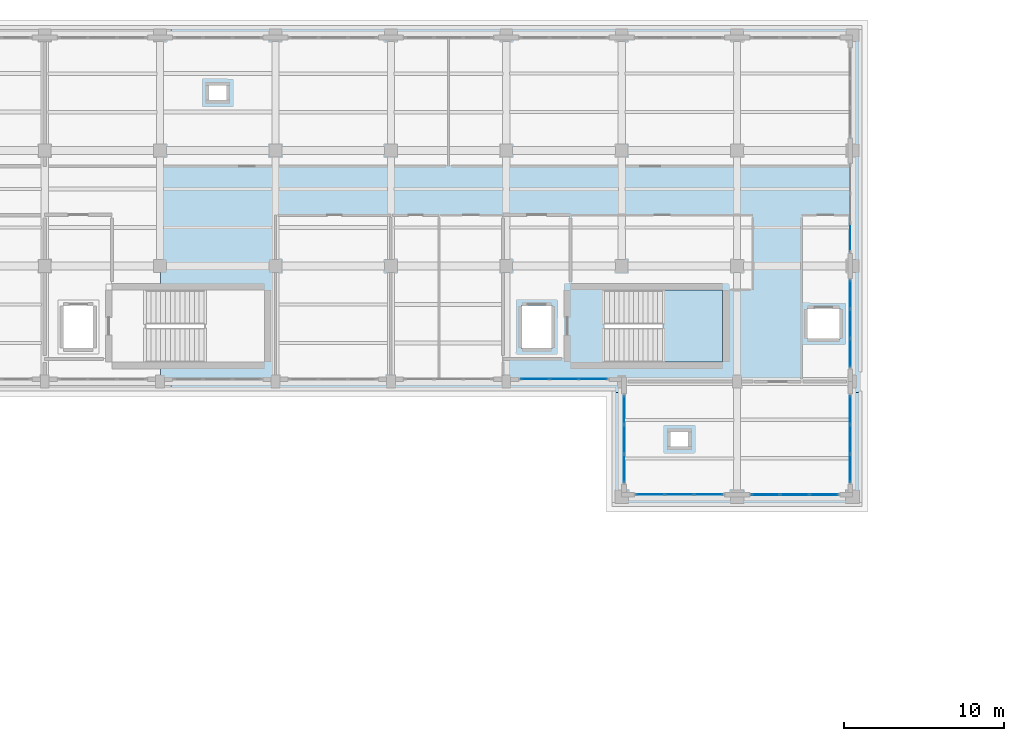
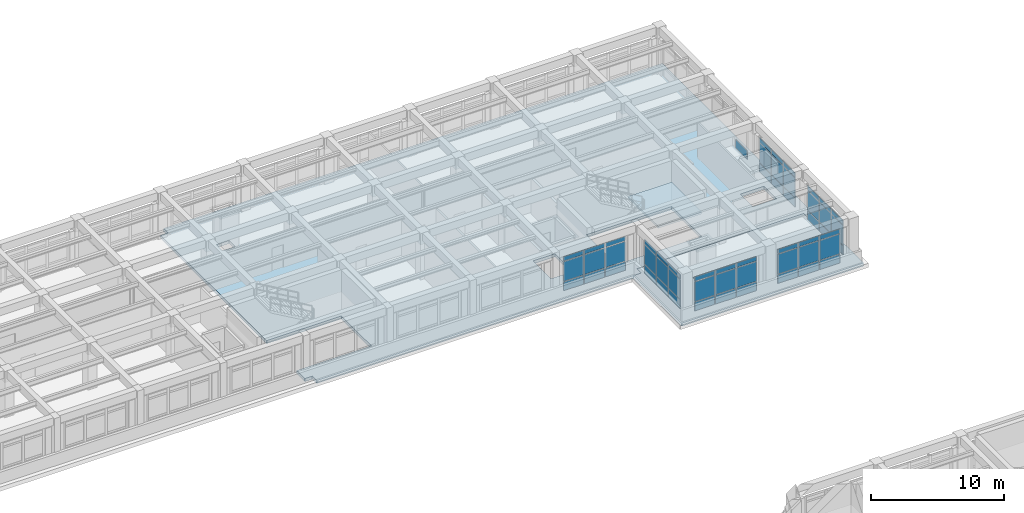
# One storey, part 76 of 98: 55 plates, 3 slabs, 8 elements without a shape of their own.
"""IFC4 building model written with IfcOpenShell, lengths in metres."""

from ifc_helpers import new_model, si_unit, direction, frame, origin, origin_2d, place, context, subcontext, project, spatial, polyline, rectangle, outline, extrude, material, layer, layer_set, type_object, element, aggregate, save


model = new_model("IFC4")

# Units and contexts
model_context = context("Model", 3, precision=1e-05, world=origin(), true_north=direction((0.0, 1.0)))
body_context = subcontext(model_context, "Body", "Model", "MODEL_VIEW")
ifc_project = project(units=[si_unit("LENGTHUNIT", "METRE"), si_unit("AREAUNIT", "SQUARE_METRE"), si_unit("VOLUMEUNIT", "CUBIC_METRE"), si_unit("PLANEANGLEUNIT", "RADIAN"), si_unit("MASSUNIT", "GRAM", prefix="KILO")], contexts=[model_context])

# Site, building, storey
site_placement = place(None, origin())
site = spatial("IfcSite", under=ifc_project, at=site_placement, CompositionType="ELEMENT")
building_placement = place(site_placement, origin())
building = spatial("IfcBuilding", under=site, at=building_placement, Name="Solenvale Faculty of Natural Sciences", CompositionType="ELEMENT")
storey_placement = place(building_placement, frame((0.0, 0.0, 9.0)))
storey = spatial("IfcBuildingStorey", under=building, at=storey_placement, Name="L02", CompositionType="ELEMENT", Elevation=9.0)

# Curtain wall, plate
ifc_material_1 = material(Name="Anodised bronze aluminium", Category="aluminium")
ifc_layer_1 = layer(ifc_material_1, 0.179931640625)
ifc_layer_set_1 = layer_set([ifc_layer_1], Name="Anodised bronze aluminium")
curtain_wall_type = type_object("IfcCurtainWallType", Name="CW-TWR-MOD", PredefinedType="USERDEFINED", material=ifc_layer_set_1)
curtain_wall_1_placement = place(storey_placement, origin())
curtain_wall_1 = element("IfcCurtainWall", 1, at=curtain_wall_1_placement, inside=storey, type_object=curtain_wall_type, Name="L02 Curtain Wall CW-L02-P2-E3-B2", ObjectType="UNITISED CURTAIN WALL", PredefinedType="USERDEFINED")
ifc_material_2 = material(Name="North-light skylight glass", Category="glass")
ifc_layer_2 = layer(ifc_material_2, 0.028076171875)
ifc_layer_set_2 = layer_set([ifc_layer_2], Name="North-light skylight glass")
plate_type_1 = type_object("IfcPlateType", Name="CWP-PNL-28", PredefinedType="CURTAIN_PANEL", material=ifc_layer_set_2)
plate_1_placement = place(storey_placement, frame((151.0576171875, 102.58544921875, 0.074951171875), z_axis=(0.0, 0.0, 1.0), x_axis=(0.0, 1.0, 0.0)))
plate_1 = element("IfcPlate", 2, at=plate_1_placement, type_object=plate_type_1, Name="CW-04 panel 1.1", PredefinedType="CURTAIN_PANEL", context=body_context, shape_type="SweptSolid", body=[
    extrude(rectangle(XDim=1.720947265625, YDim=0.028076171875, at=origin_2d()), origin(), (0.0, 0.0, 1.0), 0.78759765625),
])
aggregate(curtain_wall_1, [plate_1])

# Curtain wall, plates
curtain_wall_2_placement = place(storey_placement, origin())
curtain_wall_2 = element("IfcCurtainWall", 3, at=curtain_wall_2_placement, inside=storey, type_object=curtain_wall_type, Name="L02 Curtain Wall CW-L02-P2-E6-B8", ObjectType="UNITISED CURTAIN WALL", PredefinedType="USERDEFINED")
ifc_material_3 = material(Name="Triple low-E insulated glass", Category="glass")
ifc_layer_3 = layer(ifc_material_3, 0.031982421875)
ifc_layer_set_3 = layer_set([ifc_layer_3], Name="Triple low-E insulated glass")
plate_type_2 = type_object("IfcPlateType", Name="CWP-PNL-32", PredefinedType="CURTAIN_PANEL", material=ifc_layer_set_3)
plate_2_placement = place(storey_placement, frame((131.385498046875, 93.742431640625, 0.074951171875), z_axis=(0.0, 0.0, 1.0), x_axis=(1.0, 0.0, 0.0)))
plate_2 = element("IfcPlate", 4, at=plate_2_placement, type_object=plate_type_2, Name="CW-04 panel 1.1", PredefinedType="CURTAIN_PANEL", context=body_context, shape_type="SweptSolid", body=[
    extrude(rectangle(XDim=1.720947265625, YDim=0.031982421875, at=origin_2d()), origin(), (0.0, 0.0, 1.0), 0.78759765625),
])
plate_3_placement = place(storey_placement, frame((131.385498046875, 93.742431640625, 0.9375), z_axis=(0.0, 0.0, 1.0), x_axis=(1.0, 0.0, 0.0)))
plate_3 = element("IfcPlate", 5, at=plate_3_placement, type_object=plate_type_2, Name="CW-04 panel 1.2", PredefinedType="CURTAIN_PANEL", context=body_context, shape_type="SweptSolid", body=[
    extrude(rectangle(XDim=1.720947265625, YDim=0.031982421875, at=origin_2d()), origin(), (0.0, 0.0, 1.0), 1.784912109375),
])
plate_4_placement = place(storey_placement, frame((131.385498046875, 93.742431640625, 2.79736328125), z_axis=(0.0, 0.0, 1.0), x_axis=(1.0, 0.0, 0.0)))
plate_4 = element("IfcPlate", 6, at=plate_4_placement, type_object=plate_type_2, Name="CW-04 panel 1.3", PredefinedType="CURTAIN_PANEL", context=body_context, shape_type="SweptSolid", body=[
    extrude(rectangle(XDim=1.720947265625, YDim=0.031982421875, at=origin_2d()), origin(), (0.0, 0.0, 1.0), 0.387451171875),
])
plate_5_placement = place(storey_placement, frame((133.199951171875, 93.742431640625, 0.074951171875), z_axis=(0.0, 0.0, 1.0), x_axis=(1.0, 0.0, 0.0)))
plate_5 = element("IfcPlate", 7, at=plate_5_placement, type_object=plate_type_2, Name="CW-04 panel 2.1", PredefinedType="CURTAIN_PANEL", context=body_context, shape_type="SweptSolid", body=[
    extrude(rectangle(XDim=1.75830078125, YDim=0.031982421875, at=origin_2d()), origin(), (0.0, 0.0, 1.0), 0.78759765625),
])
plate_6_placement = place(storey_placement, frame((133.199951171875, 93.742431640625, 0.9375), z_axis=(0.0, 0.0, 1.0), x_axis=(1.0, 0.0, 0.0)))
plate_6 = element("IfcPlate", 8, at=plate_6_placement, type_object=plate_type_2, Name="CW-04 panel 2.2", PredefinedType="CURTAIN_PANEL", context=body_context, shape_type="SweptSolid", body=[
    extrude(rectangle(XDim=1.75830078125, YDim=0.031982421875, at=origin_2d()), origin(), (0.0, 0.0, 1.0), 1.784912109375),
])
plate_7_placement = place(storey_placement, frame((133.199951171875, 93.742431640625, 2.79736328125), z_axis=(0.0, 0.0, 1.0), x_axis=(1.0, 0.0, 0.0)))
plate_7 = element("IfcPlate", 9, at=plate_7_placement, type_object=plate_type_2, Name="CW-04 panel 2.3", PredefinedType="CURTAIN_PANEL", context=body_context, shape_type="SweptSolid", body=[
    extrude(rectangle(XDim=1.75830078125, YDim=0.031982421875, at=origin_2d()), origin(), (0.0, 0.0, 1.0), 0.387451171875),
])
plate_8_placement = place(storey_placement, frame((135.0146484375, 93.742431640625, 0.074951171875), z_axis=(0.0, 0.0, 1.0), x_axis=(1.0, 0.0, 0.0)))
plate_8 = element("IfcPlate", 10, at=plate_8_placement, type_object=plate_type_2, Name="CW-04 panel 3.1", PredefinedType="CURTAIN_PANEL", context=body_context, shape_type="SweptSolid", body=[
    extrude(rectangle(XDim=1.720947265625, YDim=0.031982421875, at=origin_2d()), origin(), (0.0, 0.0, 1.0), 0.78759765625),
])
plate_9_placement = place(storey_placement, frame((135.0146484375, 93.742431640625, 0.9375), z_axis=(0.0, 0.0, 1.0), x_axis=(1.0, 0.0, 0.0)))
plate_9 = element("IfcPlate", 11, at=plate_9_placement, type_object=plate_type_2, Name="CW-04 panel 3.2", PredefinedType="CURTAIN_PANEL", context=body_context, shape_type="SweptSolid", body=[
    extrude(rectangle(XDim=1.720947265625, YDim=0.031982421875, at=origin_2d()), origin(), (0.0, 0.0, 1.0), 1.784912109375),
])
plate_10_placement = place(storey_placement, frame((135.0146484375, 93.742431640625, 2.79736328125), z_axis=(0.0, 0.0, 1.0), x_axis=(1.0, 0.0, 0.0)))
plate_10 = element("IfcPlate", 12, at=plate_10_placement, type_object=plate_type_2, Name="CW-04 panel 3.3", PredefinedType="CURTAIN_PANEL", context=body_context, shape_type="SweptSolid", body=[
    extrude(rectangle(XDim=1.720947265625, YDim=0.031982421875, at=origin_2d()), origin(), (0.0, 0.0, 1.0), 0.387451171875),
])
aggregate(curtain_wall_2, [plate_2, plate_3, plate_4, plate_5, plate_6, plate_7, plate_8, plate_9, plate_10])

curtain_wall_3_placement = place(storey_placement, origin())
curtain_wall_3 = element("IfcCurtainWall", 13, at=curtain_wall_3_placement, inside=storey, type_object=curtain_wall_type, Name="L02 Curtain Wall CW-L02-P2-E7-B1", ObjectType="UNITISED CURTAIN WALL", PredefinedType="USERDEFINED")
ifc_layer_4 = layer(ifc_material_3, 0.0400390625)
ifc_layer_set_4 = layer_set([ifc_layer_4], Name="Triple low-E insulated glass")
plate_type_3 = type_object("IfcPlateType", Name="CWP-PNL-40", PredefinedType="CURTAIN_PANEL", material=ifc_layer_set_4)
plate_11_placement = place(storey_placement, frame((136.9423828125, 91.814697265625, 0.074951171875), z_axis=(0.0, 0.0, 1.0), x_axis=(0.0, -1.0, 0.0)))
plate_11 = element("IfcPlate", 14, at=plate_11_placement, type_object=plate_type_3, Name="CW-04 panel 1.1", PredefinedType="CURTAIN_PANEL", context=body_context, shape_type="SweptSolid", body=[
    extrude(rectangle(XDim=1.720947265625, YDim=0.0400390625, at=origin_2d()), origin(), (0.0, 0.0, 1.0), 0.78759765625),
])
plate_12_placement = place(storey_placement, frame((136.9423828125, 91.814697265625, 0.9375), z_axis=(0.0, 0.0, 1.0), x_axis=(0.0, -1.0, 0.0)))
plate_12 = element("IfcPlate", 15, at=plate_12_placement, type_object=plate_type_3, Name="CW-04 panel 1.2", PredefinedType="CURTAIN_PANEL", context=body_context, shape_type="SweptSolid", body=[
    extrude(rectangle(XDim=1.720947265625, YDim=0.0400390625, at=origin_2d()), origin(), (0.0, 0.0, 1.0), 1.784912109375),
])
plate_13_placement = place(storey_placement, frame((136.9423828125, 91.814697265625, 2.79736328125), z_axis=(0.0, 0.0, 1.0), x_axis=(0.0, -1.0, 0.0)))
plate_13 = element("IfcPlate", 16, at=plate_13_placement, type_object=plate_type_3, Name="CW-04 panel 1.3", PredefinedType="CURTAIN_PANEL", context=body_context, shape_type="SweptSolid", body=[
    extrude(rectangle(XDim=1.720947265625, YDim=0.0400390625, at=origin_2d()), origin(), (0.0, 0.0, 1.0), 0.387451171875),
])
plate_14_placement = place(storey_placement, frame((136.9423828125, 90.0, 0.074951171875), z_axis=(0.0, 0.0, 1.0), x_axis=(0.0, -1.0, 0.0)))
plate_14 = element("IfcPlate", 17, at=plate_14_placement, type_object=plate_type_3, Name="CW-04 panel 2.1", PredefinedType="CURTAIN_PANEL", context=body_context, shape_type="SweptSolid", body=[
    extrude(rectangle(XDim=1.75830078125, YDim=0.0400390625, at=origin_2d()), origin(), (0.0, 0.0, 1.0), 0.78759765625),
])
plate_15_placement = place(storey_placement, frame((136.9423828125, 90.0, 0.9375), z_axis=(0.0, 0.0, 1.0), x_axis=(0.0, -1.0, 0.0)))
plate_15 = element("IfcPlate", 18, at=plate_15_placement, type_object=plate_type_3, Name="CW-04 panel 2.2", PredefinedType="CURTAIN_PANEL", context=body_context, shape_type="SweptSolid", body=[
    extrude(rectangle(XDim=1.75830078125, YDim=0.0400390625, at=origin_2d()), origin(), (0.0, 0.0, 1.0), 1.784912109375),
])
plate_16_placement = place(storey_placement, frame((136.9423828125, 90.0, 2.79736328125), z_axis=(0.0, 0.0, 1.0), x_axis=(0.0, -1.0, 0.0)))
plate_16 = element("IfcPlate", 19, at=plate_16_placement, type_object=plate_type_3, Name="CW-04 panel 2.3", PredefinedType="CURTAIN_PANEL", context=body_context, shape_type="SweptSolid", body=[
    extrude(rectangle(XDim=1.75830078125, YDim=0.0400390625, at=origin_2d()), origin(), (0.0, 0.0, 1.0), 0.387451171875),
])
plate_17_placement = place(storey_placement, frame((136.9423828125, 88.185302734375, 0.074951171875), z_axis=(0.0, 0.0, 1.0), x_axis=(0.0, -1.0, 0.0)))
plate_17 = element("IfcPlate", 20, at=plate_17_placement, type_object=plate_type_3, Name="CW-04 panel 3.1", PredefinedType="CURTAIN_PANEL", context=body_context, shape_type="SweptSolid", body=[
    extrude(rectangle(XDim=1.720947265625, YDim=0.0400390625, at=origin_2d()), origin(), (0.0, 0.0, 1.0), 0.78759765625),
])
plate_18_placement = place(storey_placement, frame((136.9423828125, 88.185302734375, 0.9375), z_axis=(0.0, 0.0, 1.0), x_axis=(0.0, -1.0, 0.0)))
plate_18 = element("IfcPlate", 21, at=plate_18_placement, type_object=plate_type_3, Name="CW-04 panel 3.2", PredefinedType="CURTAIN_PANEL", context=body_context, shape_type="SweptSolid", body=[
    extrude(rectangle(XDim=1.720947265625, YDim=0.0400390625, at=origin_2d()), origin(), (0.0, 0.0, 1.0), 1.784912109375),
])
plate_19_placement = place(storey_placement, frame((136.9423828125, 88.185302734375, 2.79736328125), z_axis=(0.0, 0.0, 1.0), x_axis=(0.0, -1.0, 0.0)))
plate_19 = element("IfcPlate", 22, at=plate_19_placement, type_object=plate_type_3, Name="CW-04 panel 3.3", PredefinedType="CURTAIN_PANEL", context=body_context, shape_type="SweptSolid", body=[
    extrude(rectangle(XDim=1.720947265625, YDim=0.0400390625, at=origin_2d()), origin(), (0.0, 0.0, 1.0), 0.387451171875),
])
aggregate(curtain_wall_3, [plate_11, plate_12, plate_13, plate_14, plate_15, plate_16, plate_17, plate_18, plate_19])

curtain_wall_4_placement = place(storey_placement, origin())
curtain_wall_4 = element("IfcCurtainWall", 23, at=curtain_wall_4_placement, inside=storey, type_object=curtain_wall_type, Name="L02 Curtain Wall CW-L02-P2-E1-B1", ObjectType="UNITISED CURTAIN WALL", PredefinedType="USERDEFINED")
ifc_layer_5 = layer(ifc_material_1, 0.048095703125)
ifc_layer_set_5 = layer_set([ifc_layer_5], Name="Anodised bronze aluminium")
plate_type_4 = type_object("IfcPlateType", Name="CWP-PNL-48", PredefinedType="CURTAIN_PANEL", material=ifc_layer_set_5)
plate_20_placement = place(storey_placement, frame((138.58544921875, 86.54248046875, 0.074951171875), z_axis=(0.0, 0.0, 1.0), x_axis=(1.0, 0.0, 0.0)))
plate_20 = element("IfcPlate", 24, at=plate_20_placement, type_object=plate_type_4, Name="CW-04 panel 1.1", PredefinedType="CURTAIN_PANEL", context=body_context, shape_type="SweptSolid", body=[
    extrude(rectangle(XDim=1.720947265625, YDim=0.048095703125, at=origin_2d()), origin(), (0.0, 0.0, 1.0), 0.78759765625),
])
plate_21_placement = place(storey_placement, frame((138.58544921875, 86.54248046875, 0.9375), z_axis=(0.0, 0.0, 1.0), x_axis=(1.0, 0.0, 0.0)))
plate_21 = element("IfcPlate", 25, at=plate_21_placement, type_object=plate_type_4, Name="CW-04 panel 1.2", PredefinedType="CURTAIN_PANEL", context=body_context, shape_type="SweptSolid", body=[
    extrude(rectangle(XDim=1.720947265625, YDim=0.048095703125, at=origin_2d()), origin(), (0.0, 0.0, 1.0), 1.784912109375),
])
plate_22_placement = place(storey_placement, frame((138.58544921875, 86.54248046875, 2.79736328125), z_axis=(0.0, 0.0, 1.0), x_axis=(1.0, 0.0, 0.0)))
plate_22 = element("IfcPlate", 26, at=plate_22_placement, type_object=plate_type_4, Name="CW-04 panel 1.3", PredefinedType="CURTAIN_PANEL", context=body_context, shape_type="SweptSolid", body=[
    extrude(rectangle(XDim=1.720947265625, YDim=0.048095703125, at=origin_2d()), origin(), (0.0, 0.0, 1.0), 0.387451171875),
])
plate_23_placement = place(storey_placement, frame((140.39990234375, 86.54248046875, 0.074951171875), z_axis=(0.0, 0.0, 1.0), x_axis=(1.0, 0.0, 0.0)))
plate_23 = element("IfcPlate", 27, at=plate_23_placement, type_object=plate_type_4, Name="CW-04 panel 2.1", PredefinedType="CURTAIN_PANEL", context=body_context, shape_type="SweptSolid", body=[
    extrude(rectangle(XDim=1.75830078125, YDim=0.048095703125, at=origin_2d()), origin(), (0.0, 0.0, 1.0), 0.78759765625),
])
plate_24_placement = place(storey_placement, frame((140.39990234375, 86.54248046875, 0.9375), z_axis=(0.0, 0.0, 1.0), x_axis=(1.0, 0.0, 0.0)))
plate_24 = element("IfcPlate", 28, at=plate_24_placement, type_object=plate_type_4, Name="CW-04 panel 2.2", PredefinedType="CURTAIN_PANEL", context=body_context, shape_type="SweptSolid", body=[
    extrude(rectangle(XDim=1.75830078125, YDim=0.048095703125, at=origin_2d()), origin(), (0.0, 0.0, 1.0), 1.784912109375),
])
plate_25_placement = place(storey_placement, frame((140.39990234375, 86.54248046875, 2.79736328125), z_axis=(0.0, 0.0, 1.0), x_axis=(1.0, 0.0, 0.0)))
plate_25 = element("IfcPlate", 29, at=plate_25_placement, type_object=plate_type_4, Name="CW-04 panel 2.3", PredefinedType="CURTAIN_PANEL", context=body_context, shape_type="SweptSolid", body=[
    extrude(rectangle(XDim=1.75830078125, YDim=0.048095703125, at=origin_2d()), origin(), (0.0, 0.0, 1.0), 0.387451171875),
])
plate_26_placement = place(storey_placement, frame((142.214599609375, 86.54248046875, 0.074951171875), z_axis=(0.0, 0.0, 1.0), x_axis=(1.0, 0.0, 0.0)))
plate_26 = element("IfcPlate", 30, at=plate_26_placement, type_object=plate_type_4, Name="CW-04 panel 3.1", PredefinedType="CURTAIN_PANEL", context=body_context, shape_type="SweptSolid", body=[
    extrude(rectangle(XDim=1.720947265625, YDim=0.048095703125, at=origin_2d()), origin(), (0.0, 0.0, 1.0), 0.78759765625),
])
plate_27_placement = place(storey_placement, frame((142.214599609375, 86.54248046875, 0.9375), z_axis=(0.0, 0.0, 1.0), x_axis=(1.0, 0.0, 0.0)))
plate_27 = element("IfcPlate", 31, at=plate_27_placement, type_object=plate_type_4, Name="CW-04 panel 3.2", PredefinedType="CURTAIN_PANEL", context=body_context, shape_type="SweptSolid", body=[
    extrude(rectangle(XDim=1.720947265625, YDim=0.048095703125, at=origin_2d()), origin(), (0.0, 0.0, 1.0), 1.784912109375),
])
plate_28_placement = place(storey_placement, frame((142.214599609375, 86.54248046875, 2.79736328125), z_axis=(0.0, 0.0, 1.0), x_axis=(1.0, 0.0, 0.0)))
plate_28 = element("IfcPlate", 32, at=plate_28_placement, type_object=plate_type_4, Name="CW-04 panel 3.3", PredefinedType="CURTAIN_PANEL", context=body_context, shape_type="SweptSolid", body=[
    extrude(rectangle(XDim=1.720947265625, YDim=0.048095703125, at=origin_2d()), origin(), (0.0, 0.0, 1.0), 0.387451171875),
])
aggregate(curtain_wall_4, [plate_20, plate_21, plate_22, plate_23, plate_24, plate_25, plate_26, plate_27, plate_28])

curtain_wall_5_placement = place(storey_placement, origin())
curtain_wall_5 = element("IfcCurtainWall", 33, at=curtain_wall_5_placement, inside=storey, type_object=curtain_wall_type, Name="L02 Curtain Wall CW-L02-P2-E1-B2", ObjectType="UNITISED CURTAIN WALL", PredefinedType="USERDEFINED")
ifc_layer_6 = layer(ifc_material_1, 0.053955078125)
ifc_layer_set_6 = layer_set([ifc_layer_6], Name="Anodised bronze aluminium")
plate_type_5 = type_object("IfcPlateType", Name="CWP-PNL-54", PredefinedType="CURTAIN_PANEL", material=ifc_layer_set_6)
plate_29_placement = place(storey_placement, frame((145.785400390625, 86.54248046875, 0.074951171875), z_axis=(0.0, 0.0, 1.0), x_axis=(1.0, 0.0, 0.0)))
plate_29 = element("IfcPlate", 34, at=plate_29_placement, type_object=plate_type_5, Name="CW-04 panel 1.1", PredefinedType="CURTAIN_PANEL", context=body_context, shape_type="SweptSolid", body=[
    extrude(rectangle(XDim=1.720947265625, YDim=0.053955078125, at=origin_2d()), origin(), (0.0, 0.0, 1.0), 0.78759765625),
])
plate_30_placement = place(storey_placement, frame((145.785400390625, 86.54248046875, 0.9375), z_axis=(0.0, 0.0, 1.0), x_axis=(1.0, 0.0, 0.0)))
plate_30 = element("IfcPlate", 35, at=plate_30_placement, type_object=plate_type_5, Name="CW-04 panel 1.2", PredefinedType="CURTAIN_PANEL", context=body_context, shape_type="SweptSolid", body=[
    extrude(rectangle(XDim=1.720947265625, YDim=0.053955078125, at=origin_2d()), origin(), (0.0, 0.0, 1.0), 1.784912109375),
])
plate_31_placement = place(storey_placement, frame((145.785400390625, 86.54248046875, 2.79736328125), z_axis=(0.0, 0.0, 1.0), x_axis=(1.0, 0.0, 0.0)))
plate_31 = element("IfcPlate", 36, at=plate_31_placement, type_object=plate_type_5, Name="CW-04 panel 1.3", PredefinedType="CURTAIN_PANEL", context=body_context, shape_type="SweptSolid", body=[
    extrude(rectangle(XDim=1.720947265625, YDim=0.053955078125, at=origin_2d()), origin(), (0.0, 0.0, 1.0), 0.387451171875),
])
plate_32_placement = place(storey_placement, frame((147.60009765625, 86.54248046875, 0.074951171875), z_axis=(0.0, 0.0, 1.0), x_axis=(1.0, 0.0, 0.0)))
plate_32 = element("IfcPlate", 37, at=plate_32_placement, type_object=plate_type_5, Name="CW-04 panel 2.1", PredefinedType="CURTAIN_PANEL", context=body_context, shape_type="SweptSolid", body=[
    extrude(rectangle(XDim=1.75830078125, YDim=0.053955078125, at=origin_2d()), origin(), (0.0, 0.0, 1.0), 0.78759765625),
])
plate_33_placement = place(storey_placement, frame((147.60009765625, 86.54248046875, 0.9375), z_axis=(0.0, 0.0, 1.0), x_axis=(1.0, 0.0, 0.0)))
plate_33 = element("IfcPlate", 38, at=plate_33_placement, type_object=plate_type_5, Name="CW-04 panel 2.2", PredefinedType="CURTAIN_PANEL", context=body_context, shape_type="SweptSolid", body=[
    extrude(rectangle(XDim=1.75830078125, YDim=0.053955078125, at=origin_2d()), origin(), (0.0, 0.0, 1.0), 1.784912109375),
])
plate_34_placement = place(storey_placement, frame((147.60009765625, 86.54248046875, 2.79736328125), z_axis=(0.0, 0.0, 1.0), x_axis=(1.0, 0.0, 0.0)))
plate_34 = element("IfcPlate", 39, at=plate_34_placement, type_object=plate_type_5, Name="CW-04 panel 2.3", PredefinedType="CURTAIN_PANEL", context=body_context, shape_type="SweptSolid", body=[
    extrude(rectangle(XDim=1.75830078125, YDim=0.053955078125, at=origin_2d()), origin(), (0.0, 0.0, 1.0), 0.387451171875),
])
plate_35_placement = place(storey_placement, frame((149.41455078125, 86.54248046875, 0.074951171875), z_axis=(0.0, 0.0, 1.0), x_axis=(1.0, 0.0, 0.0)))
plate_35 = element("IfcPlate", 40, at=plate_35_placement, type_object=plate_type_5, Name="CW-04 panel 3.1", PredefinedType="CURTAIN_PANEL", context=body_context, shape_type="SweptSolid", body=[
    extrude(rectangle(XDim=1.720947265625, YDim=0.053955078125, at=origin_2d()), origin(), (0.0, 0.0, 1.0), 0.78759765625),
])
plate_36_placement = place(storey_placement, frame((149.41455078125, 86.54248046875, 0.9375), z_axis=(0.0, 0.0, 1.0), x_axis=(1.0, 0.0, 0.0)))
plate_36 = element("IfcPlate", 41, at=plate_36_placement, type_object=plate_type_5, Name="CW-04 panel 3.2", PredefinedType="CURTAIN_PANEL", context=body_context, shape_type="SweptSolid", body=[
    extrude(rectangle(XDim=1.720947265625, YDim=0.053955078125, at=origin_2d()), origin(), (0.0, 0.0, 1.0), 1.784912109375),
])
plate_37_placement = place(storey_placement, frame((149.41455078125, 86.54248046875, 2.79736328125), z_axis=(0.0, 0.0, 1.0), x_axis=(1.0, 0.0, 0.0)))
plate_37 = element("IfcPlate", 42, at=plate_37_placement, type_object=plate_type_5, Name="CW-04 panel 3.3", PredefinedType="CURTAIN_PANEL", context=body_context, shape_type="SweptSolid", body=[
    extrude(rectangle(XDim=1.720947265625, YDim=0.053955078125, at=origin_2d()), origin(), (0.0, 0.0, 1.0), 0.387451171875),
])
aggregate(curtain_wall_5, [plate_29, plate_30, plate_31, plate_32, plate_33, plate_34, plate_35, plate_36, plate_37])

curtain_wall_6_placement = place(storey_placement, origin())
curtain_wall_6 = element("IfcCurtainWall", 43, at=curtain_wall_6_placement, inside=storey, type_object=curtain_wall_type, Name="L02 Curtain Wall CW-L02-P2-E2-B1", ObjectType="UNITISED CURTAIN WALL", PredefinedType="USERDEFINED")
plate_38_placement = place(storey_placement, frame((151.0576171875, 88.185302734375, 0.074951171875), z_axis=(0.0, 0.0, 1.0), x_axis=(0.0, 1.0, 0.0)))
plate_38 = element("IfcPlate", 44, at=plate_38_placement, type_object=plate_type_5, Name="CW-04 panel 1.1", PredefinedType="CURTAIN_PANEL", context=body_context, shape_type="SweptSolid", body=[
    extrude(rectangle(XDim=1.720947265625, YDim=0.053955078125, at=origin_2d()), origin(), (0.0, 0.0, 1.0), 0.78759765625),
])
plate_39_placement = place(storey_placement, frame((151.0576171875, 88.185302734375, 0.9375), z_axis=(0.0, 0.0, 1.0), x_axis=(0.0, 1.0, 0.0)))
plate_39 = element("IfcPlate", 45, at=plate_39_placement, type_object=plate_type_5, Name="CW-04 panel 1.2", PredefinedType="CURTAIN_PANEL", context=body_context, shape_type="SweptSolid", body=[
    extrude(rectangle(XDim=1.720947265625, YDim=0.053955078125, at=origin_2d()), origin(), (0.0, 0.0, 1.0), 1.784912109375),
])
plate_40_placement = place(storey_placement, frame((151.0576171875, 88.185302734375, 2.79736328125), z_axis=(0.0, 0.0, 1.0), x_axis=(0.0, 1.0, 0.0)))
plate_40 = element("IfcPlate", 46, at=plate_40_placement, type_object=plate_type_5, Name="CW-04 panel 1.3", PredefinedType="CURTAIN_PANEL", context=body_context, shape_type="SweptSolid", body=[
    extrude(rectangle(XDim=1.720947265625, YDim=0.053955078125, at=origin_2d()), origin(), (0.0, 0.0, 1.0), 0.387451171875),
])
plate_41_placement = place(storey_placement, frame((151.0576171875, 90.0, 0.074951171875), z_axis=(0.0, 0.0, 1.0), x_axis=(0.0, 1.0, 0.0)))
plate_41 = element("IfcPlate", 47, at=plate_41_placement, type_object=plate_type_5, Name="CW-04 panel 2.1", PredefinedType="CURTAIN_PANEL", context=body_context, shape_type="SweptSolid", body=[
    extrude(rectangle(XDim=1.75830078125, YDim=0.053955078125, at=origin_2d()), origin(), (0.0, 0.0, 1.0), 0.78759765625),
])
plate_42_placement = place(storey_placement, frame((151.0576171875, 90.0, 0.9375), z_axis=(0.0, 0.0, 1.0), x_axis=(0.0, 1.0, 0.0)))
plate_42 = element("IfcPlate", 48, at=plate_42_placement, type_object=plate_type_5, Name="CW-04 panel 2.2", PredefinedType="CURTAIN_PANEL", context=body_context, shape_type="SweptSolid", body=[
    extrude(rectangle(XDim=1.75830078125, YDim=0.053955078125, at=origin_2d()), origin(), (0.0, 0.0, 1.0), 1.784912109375),
])
plate_43_placement = place(storey_placement, frame((151.0576171875, 90.0, 2.79736328125), z_axis=(0.0, 0.0, 1.0), x_axis=(0.0, 1.0, 0.0)))
plate_43 = element("IfcPlate", 49, at=plate_43_placement, type_object=plate_type_5, Name="CW-04 panel 2.3", PredefinedType="CURTAIN_PANEL", context=body_context, shape_type="SweptSolid", body=[
    extrude(rectangle(XDim=1.75830078125, YDim=0.053955078125, at=origin_2d()), origin(), (0.0, 0.0, 1.0), 0.387451171875),
])
plate_44_placement = place(storey_placement, frame((151.0576171875, 91.814697265625, 0.074951171875), z_axis=(0.0, 0.0, 1.0), x_axis=(0.0, 1.0, 0.0)))
plate_44 = element("IfcPlate", 50, at=plate_44_placement, type_object=plate_type_5, Name="CW-04 panel 3.1", PredefinedType="CURTAIN_PANEL", context=body_context, shape_type="SweptSolid", body=[
    extrude(rectangle(XDim=1.720947265625, YDim=0.053955078125, at=origin_2d()), origin(), (0.0, 0.0, 1.0), 0.78759765625),
])
plate_45_placement = place(storey_placement, frame((151.0576171875, 91.814697265625, 0.9375), z_axis=(0.0, 0.0, 1.0), x_axis=(0.0, 1.0, 0.0)))
plate_45 = element("IfcPlate", 51, at=plate_45_placement, type_object=plate_type_5, Name="CW-04 panel 3.2", PredefinedType="CURTAIN_PANEL", context=body_context, shape_type="SweptSolid", body=[
    extrude(rectangle(XDim=1.720947265625, YDim=0.053955078125, at=origin_2d()), origin(), (0.0, 0.0, 1.0), 1.784912109375),
])
plate_46_placement = place(storey_placement, frame((151.0576171875, 91.814697265625, 2.79736328125), z_axis=(0.0, 0.0, 1.0), x_axis=(0.0, 1.0, 0.0)))
plate_46 = element("IfcPlate", 52, at=plate_46_placement, type_object=plate_type_5, Name="CW-04 panel 3.3", PredefinedType="CURTAIN_PANEL", context=body_context, shape_type="SweptSolid", body=[
    extrude(rectangle(XDim=1.720947265625, YDim=0.053955078125, at=origin_2d()), origin(), (0.0, 0.0, 1.0), 0.387451171875),
])
aggregate(curtain_wall_6, [plate_38, plate_39, plate_40, plate_41, plate_42, plate_43, plate_44, plate_45, plate_46])

curtain_wall_7_placement = place(storey_placement, origin())
curtain_wall_7 = element("IfcCurtainWall", 53, at=curtain_wall_7_placement, inside=storey, type_object=curtain_wall_type, Name="L02 Curtain Wall CW-L02-P2-E3-B1", ObjectType="UNITISED CURTAIN WALL", PredefinedType="USERDEFINED")
ifc_layer_7 = layer(ifc_material_1, 0.06005859375)
ifc_layer_set_7 = layer_set([ifc_layer_7], Name="Anodised bronze aluminium")
plate_type_6 = type_object("IfcPlateType", Name="CWP-PNL-60", PredefinedType="CURTAIN_PANEL", material=ifc_layer_set_7)
plate_47_placement = place(storey_placement, frame((151.0576171875, 95.385498046875, 0.074951171875), z_axis=(0.0, 0.0, 1.0), x_axis=(0.0, 1.0, 0.0)))
plate_47 = element("IfcPlate", 54, at=plate_47_placement, type_object=plate_type_6, Name="CW-04 panel 1.1", PredefinedType="CURTAIN_PANEL", context=body_context, shape_type="SweptSolid", body=[
    extrude(rectangle(XDim=1.720947265625, YDim=0.06005859375, at=origin_2d()), origin(), (0.0, 0.0, 1.0), 0.78759765625),
])
plate_48_placement = place(storey_placement, frame((151.0576171875, 95.385498046875, 0.9375), z_axis=(0.0, 0.0, 1.0), x_axis=(0.0, 1.0, 0.0)))
plate_48 = element("IfcPlate", 55, at=plate_48_placement, type_object=plate_type_6, Name="CW-04 panel 1.2", PredefinedType="CURTAIN_PANEL", context=body_context, shape_type="SweptSolid", body=[
    extrude(rectangle(XDim=1.720947265625, YDim=0.06005859375, at=origin_2d()), origin(), (0.0, 0.0, 1.0), 1.784912109375),
])
plate_49_placement = place(storey_placement, frame((151.0576171875, 95.385498046875, 2.79736328125), z_axis=(0.0, 0.0, 1.0), x_axis=(0.0, 1.0, 0.0)))
plate_49 = element("IfcPlate", 56, at=plate_49_placement, type_object=plate_type_6, Name="CW-04 panel 1.3", PredefinedType="CURTAIN_PANEL", context=body_context, shape_type="SweptSolid", body=[
    extrude(rectangle(XDim=1.720947265625, YDim=0.06005859375, at=origin_2d()), origin(), (0.0, 0.0, 1.0), 0.387451171875),
])
plate_50_placement = place(storey_placement, frame((151.0576171875, 97.199951171875, 0.074951171875), z_axis=(0.0, 0.0, 1.0), x_axis=(0.0, 1.0, 0.0)))
plate_50 = element("IfcPlate", 57, at=plate_50_placement, type_object=plate_type_6, Name="CW-04 panel 2.1", PredefinedType="CURTAIN_PANEL", context=body_context, shape_type="SweptSolid", body=[
    extrude(rectangle(XDim=1.75830078125, YDim=0.06005859375, at=origin_2d()), origin(), (0.0, 0.0, 1.0), 0.78759765625),
])
plate_51_placement = place(storey_placement, frame((151.0576171875, 97.199951171875, 0.9375), z_axis=(0.0, 0.0, 1.0), x_axis=(0.0, 1.0, 0.0)))
plate_51 = element("IfcPlate", 58, at=plate_51_placement, type_object=plate_type_6, Name="CW-04 panel 2.2", PredefinedType="CURTAIN_PANEL", context=body_context, shape_type="SweptSolid", body=[
    extrude(rectangle(XDim=1.75830078125, YDim=0.06005859375, at=origin_2d()), origin(), (0.0, 0.0, 1.0), 1.784912109375),
])
plate_52_placement = place(storey_placement, frame((151.0576171875, 97.199951171875, 2.79736328125), z_axis=(0.0, 0.0, 1.0), x_axis=(0.0, 1.0, 0.0)))
plate_52 = element("IfcPlate", 59, at=plate_52_placement, type_object=plate_type_6, Name="CW-04 panel 2.3", PredefinedType="CURTAIN_PANEL", context=body_context, shape_type="SweptSolid", body=[
    extrude(rectangle(XDim=1.75830078125, YDim=0.06005859375, at=origin_2d()), origin(), (0.0, 0.0, 1.0), 0.387451171875),
])
plate_53_placement = place(storey_placement, frame((151.0576171875, 99.0146484375, 0.074951171875), z_axis=(0.0, 0.0, 1.0), x_axis=(0.0, 1.0, 0.0)))
plate_53 = element("IfcPlate", 60, at=plate_53_placement, type_object=plate_type_6, Name="CW-04 panel 3.1", PredefinedType="CURTAIN_PANEL", context=body_context, shape_type="SweptSolid", body=[
    extrude(rectangle(XDim=1.720947265625, YDim=0.06005859375, at=origin_2d()), origin(), (0.0, 0.0, 1.0), 0.78759765625),
])
plate_54_placement = place(storey_placement, frame((151.0576171875, 99.0146484375, 0.9375), z_axis=(0.0, 0.0, 1.0), x_axis=(0.0, 1.0, 0.0)))
plate_54 = element("IfcPlate", 61, at=plate_54_placement, type_object=plate_type_6, Name="CW-04 panel 3.2", PredefinedType="CURTAIN_PANEL", context=body_context, shape_type="SweptSolid", body=[
    extrude(rectangle(XDim=1.720947265625, YDim=0.06005859375, at=origin_2d()), origin(), (0.0, 0.0, 1.0), 1.784912109375),
])
plate_55_placement = place(storey_placement, frame((151.0576171875, 99.0146484375, 2.79736328125), z_axis=(0.0, 0.0, 1.0), x_axis=(0.0, 1.0, 0.0)))
plate_55 = element("IfcPlate", 62, at=plate_55_placement, type_object=plate_type_6, Name="CW-04 panel 3.3", PredefinedType="CURTAIN_PANEL", context=body_context, shape_type="SweptSolid", body=[
    extrude(rectangle(XDim=1.720947265625, YDim=0.06005859375, at=origin_2d()), origin(), (0.0, 0.0, 1.0), 0.387451171875),
])
aggregate(curtain_wall_7, [plate_47, plate_48, plate_49, plate_50, plate_51, plate_52, plate_53, plate_54, plate_55])

# Slabs
ifc_material_4 = material(Name="Concrete 40 MPa", Category="concrete")
ifc_layer_8 = layer(ifc_material_4, 0.280029296875)
ifc_layer_set_8 = layer_set([ifc_layer_8], Name="Concrete 40 MPa")
slab_type_1 = type_object("IfcSlabType", Name="SL-FLR-280", PredefinedType="FLOOR", material=ifc_layer_set_8)
slab_1_placement = place(storey_placement, frame((0.0, 0.0, -0.280029296875)))
element("IfcSlab", 63, at=slab_1_placement, inside=storey, type_object=slab_type_1, Name="L02 V5 Floor Slab 2.1", PredefinedType="FLOOR", context=body_context, shape_type="SweptSolid", body=[
    extrude(outline(polyline([(108.054931640625, 93.580078125), (108.037353515625, 93.58740234375), (108.030029296875, 93.60498046875), (108.030029296875, 94.77490234375), (108.03564453125, 94.791015625), (108.050048828125, 94.799560546875), (114.5, 94.800537109375), (114.5, 99.300048828125), (108.054931640625, 99.300048828125), (108.031005859375, 99.317626953125), (108.030029296875, 115.195068359375), (108.037353515625, 115.212646484375), (108.054931640625, 115.219970703125), (108.679931640625, 115.219970703125), (108.679931640625, 115.85498046875), (108.693115234375, 115.876953125), (151.85498046875, 115.8798828125), (151.876953125, 115.86669921875), (151.8798828125, 92.945068359375), (151.86669921875, 92.923095703125), (151.2451171875, 92.919921875), (151.227294921875, 92.92724609375), (151.219970703125, 92.945068359375), (151.219970703125, 93.55029296875), (151.214599609375, 93.563720703125), (151.2001953125, 93.570068359375), (136.80029296875, 93.570068359375), (136.786376953125, 93.564697265625), (136.780029296875, 93.55029296875), (136.77978515625, 92.9423828125), (136.77099609375, 92.92578125), (136.7548828125, 92.919921875), (108.705078125, 92.919921875), (108.687255859375, 92.92724609375), (108.679931640625, 92.945068359375), (108.679931640625, 93.580078125), (108.054931640625, 93.580078125)]), holes=[polyline([(148.385009765625, 96.260009765625), (150.4150390625, 96.260009765625), (150.4150390625, 98.139892578125), (148.385009765625, 98.139892578125), (148.385009765625, 96.260009765625)]), polyline([(135.739990234375, 94.800048828125), (143.10009765625, 94.800048828125), (143.10009765625, 99.300048828125), (135.739990234375, 99.300048828125), (135.739990234375, 94.800048828125)]), polyline([(130.56005859375, 95.659912109375), (132.43994140625, 95.659912109375), (132.43994140625, 98.340087890625), (130.56005859375, 98.340087890625), (130.56005859375, 95.659912109375)]), polyline([(111.050048828125, 111.14990234375), (112.14990234375, 111.14990234375), (112.14990234375, 112.050048828125), (111.050048828125, 112.050048828125), (111.050048828125, 111.14990234375)])]), origin(), (0.0, 0.0, 1.0), 0.280029296875),
])
slab_2_placement = place(storey_placement, frame((0.0, 0.0, -0.280029296875)))
element("IfcSlab", 64, at=slab_2_placement, inside=storey, type_object=slab_type_1, Name="L02 V5E Floor Slab 1.1", PredefinedType="FLOOR", context=body_context, shape_type="SweptSolid", body=[
    extrude(outline(polyline([(136.14501953125, 85.719970703125), (136.127197265625, 85.727294921875), (136.1201171875, 85.7451171875), (136.1201171875, 92.8974609375), (136.129150390625, 92.914306640625), (136.14501953125, 92.919921875), (136.780029296875, 92.919921875), (136.780029296875, 93.544921875), (136.79541015625, 93.568115234375), (151.195068359375, 93.570068359375), (151.212646484375, 93.562744140625), (151.219970703125, 93.544921875), (151.219970703125, 92.919921875), (151.85498046875, 92.919921875), (151.878173828125, 92.904541015625), (151.8798828125, 85.7451171875), (151.864501953125, 85.721923828125), (136.14501953125, 85.719970703125)]), holes=[polyline([(139.85009765625, 89.550048828125), (140.949951171875, 89.550048828125), (140.949951171875, 90.449951171875), (139.85009765625, 90.449951171875), (139.85009765625, 89.550048828125)])]), origin(), (0.0, 0.0, 1.0), 0.280029296875),
])

# Stair, slab
stair_type = type_object("IfcStairType", Name="STR-CORE-25R", PredefinedType="DOUBLE_RETURN_STAIR", material=ifc_material_4)
stair_placement = place(storey_placement, origin())
stair = element("IfcStair", 65, at=stair_placement, inside=storey, type_object=stair_type, Name="L02 Protected Exit Stair ST-05", PredefinedType="DOUBLE_RETURN_STAIR")
ifc_layer_9 = layer(ifc_material_4, 0.195068359375)
ifc_layer_set_9 = layer_set([ifc_layer_9], Name="Concrete 40 MPa")
slab_type_2 = type_object("IfcSlabType", Name="SL-LND-195", PredefinedType="LANDING", material=ifc_layer_set_9)
slab_3_placement = place(storey_placement, frame((0.0, 0.0, 2.050048828125)))
slab_3 = element("IfcSlab", 66, at=slab_3_placement, type_object=slab_type_2, Name="ST-05 landing 1", PredefinedType="LANDING", context=body_context, shape_type="SweptSolid", body=[
    extrude(outline(polyline([(139.340087890625, 94.800048828125), (143.10009765625, 94.800048828125), (143.10009765625, 99.300048828125), (139.340087890625, 99.300048828125), (139.340087890625, 94.800048828125)])), origin(), (0.0, 0.0, 1.0), 0.199951171875),
])
aggregate(stair, [slab_3])

save(model, "model.ifc")
